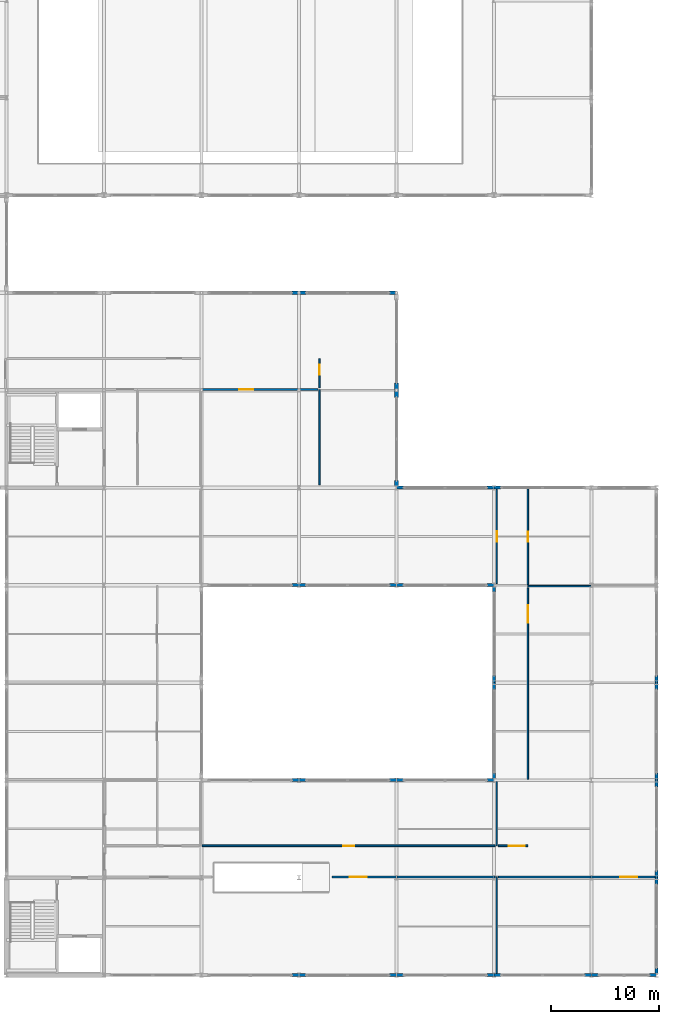
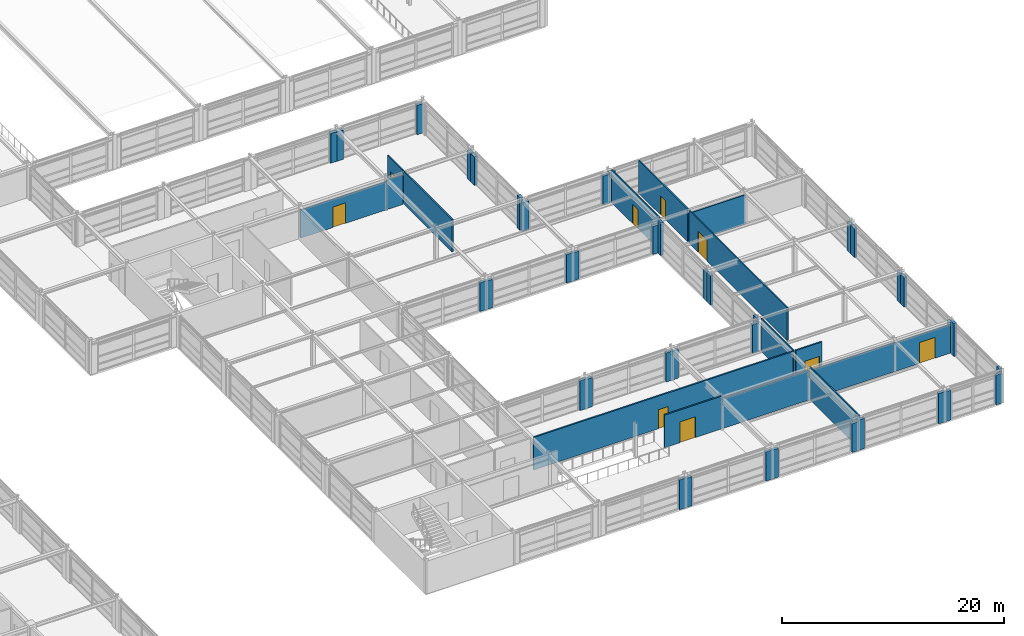
# One storey, part 70 of 79: 55 walls, 9 doors, 9 openings.
"""IFC4 building model written with IfcOpenShell, lengths in metres."""

import ifcopenshell
import ifcopenshell.guid

model = None  # the IFC model being written
_history = None  # IfcOwnerHistory: only IFC2X3 demands one
_inside = {}  # id of a spatial element -> (the spatial element, [elements in it])
_under = {}  # id of a project, library or spatial element -> (it, [spatial elements below it])
_declared = {}  # id of a project -> (the project, [libraries it declares])
_typed = {}  # id of a type object -> (the type object, [elements of that type])
_made_of = {}  # id of a material, layer set ... -> (it, [elements and type objects made of it])


def new_model(schema):
    """Start an empty IFC model of exactly this schema.

    Asked for "IFC4X3", IfcOpenShell would pick the latest addendum, in which some entities
    have other attributes; the version numbers below select the first issue.
    IFC2X3 requires an IfcOwnerHistory on every rooted entity: one is made here for all.
    """
    global model, _history
    if schema == "IFC4X3":
        model = ifcopenshell.file(schema_version=(4, 3, 0, 0))
    else:
        model = ifcopenshell.file(schema=schema)
    _inside.clear()
    _under.clear()
    _declared.clear()
    _typed.clear()
    _made_of.clear()
    _history = None
    if model.schema == "IFC2X3":
        org = make("IfcOrganization", Name="unknown")
        user = make(
            "IfcPersonAndOrganization",
            ThePerson=make("IfcPerson", FamilyName="unknown"),
            TheOrganization=org,
        )
        app = make(
            "IfcApplication",
            ApplicationDeveloper=org,
            Version="unknown",
            ApplicationFullName="unknown",
            ApplicationIdentifier="unknown",
        )
        _history = make(
            "IfcOwnerHistory",
            OwningUser=user,
            OwningApplication=app,
            ChangeAction="ADDED",
            CreationDate=0,
        )
    return model


def make(cls, **values):
    """One entity of the class cls with the attributes given. An attribute that is None is left unset."""
    return model.create_entity(
        cls, **{name: value for name, value in values.items() if value is not None}
    )


def rooted(cls, **values):
    """An entity with a GlobalId (a new one), such as an element, a storey or a relation."""
    return make(cls, GlobalId=ifcopenshell.guid.new(), OwnerHistory=_history, **values)


def si_unit(unit_type, name, prefix=None):
    """IfcSIUnit, for example si_unit("LENGTHUNIT", "METRE", prefix="MILLI")."""
    return make("IfcSIUnit", UnitType=unit_type, Prefix=prefix, Name=name)


def assignment(units):
    """IfcUnitAssignment: the units of a project."""
    return None if units is None else make("IfcUnitAssignment", Units=units)


def point(xyz):
    """IfcCartesianPoint."""
    return None if xyz is None else make("IfcCartesianPoint", Coordinates=xyz)


def direction(xyz):
    """IfcDirection."""
    return None if xyz is None else make("IfcDirection", DirectionRatios=xyz)


def frame(location, z_axis=None, x_axis=None):
    """IfcAxis2Placement3D, a coordinate frame: its origin and axes. An axis left out is left unset."""
    return make(
        "IfcAxis2Placement3D",
        Location=point(location),
        Axis=direction(z_axis),
        RefDirection=direction(x_axis),
    )


def frame_2d(location, x_axis=None):
    """IfcAxis2Placement2D, a coordinate frame in the plane: its origin and x axis."""
    return make(
        "IfcAxis2Placement2D", Location=point(location), RefDirection=direction(x_axis)
    )


def origin():
    """The frame at (0, 0, 0) with its axes left unset."""
    return frame((0.0, 0.0, 0.0))


def place(relative_to, where):
    """IfcLocalPlacement: puts the frame where relative to a parent placement (None: the world)."""
    return make(
        "IfcLocalPlacement", PlacementRelTo=relative_to, RelativePlacement=where
    )


def context(
    kind, dimensions, precision=None, world=None, true_north=None, identifier=None
):
    """IfcGeometricRepresentationContext, for example the 3D "Model" context."""
    return make(
        "IfcGeometricRepresentationContext",
        ContextIdentifier=identifier,
        ContextType=kind,
        CoordinateSpaceDimension=dimensions,
        Precision=precision,
        WorldCoordinateSystem=world,
        TrueNorth=true_north,
    )


def subcontext(parent, identifier, kind, view, scale=None):
    """IfcGeometricRepresentationSubContext, for example "Body" below "Model"."""
    return make(
        "IfcGeometricRepresentationSubContext",
        ContextIdentifier=identifier,
        ContextType=kind,
        ParentContext=parent,
        TargetScale=scale,
        TargetView=view,
    )


def project(units=None, contexts=None):
    """IfcProject with its units and contexts."""
    return rooted(
        "IfcProject",
        Name="project",
        RepresentationContexts=contexts,
        UnitsInContext=assignment(units),
    )


def spatial(cls, under=None, at=None, **own):
    """A site, building, storey or space (cls), placed at a placement, below another one or the project."""
    s = rooted(cls, ObjectPlacement=at, **own)
    if under is not None:
        _under.setdefault(under.id(), (under, []))[1].append(s)
    return s


def profile(cls, at=None, kind="AREA", **sizes):
    """A parametric profile (cls). Its sizes go by their IFC names, for example OverallWidth=200.0."""
    return make(cls, ProfileType=kind, Position=at, **sizes)


def rectangle(**sizes):
    """IfcRectangleProfileDef."""
    return profile("IfcRectangleProfileDef", **sizes)


def extrude(swept, where, along, depth):
    """IfcExtrudedAreaSolid: the profile swept, set in the frame where, extruded along a direction by depth."""
    return make(
        "IfcExtrudedAreaSolid",
        SweptArea=swept,
        Position=where,
        ExtrudedDirection=direction(along),
        Depth=depth,
    )


def shape(context_of_items, identifier, shape_type, items):
    """IfcShapeRepresentation: the items that make up one representation, for example the "Body"."""
    return make(
        "IfcShapeRepresentation",
        ContextOfItems=context_of_items,
        RepresentationIdentifier=identifier,
        RepresentationType=shape_type,
        Items=items,
    )


def material(Name=None, Category=None):
    """IfcMaterial."""
    return make("IfcMaterial", Name=Name, Category=Category)


def layer(
    of_material, thickness, ventilated=None, Name=None, Category=None, Priority=None
):
    """IfcMaterialLayer: one layer of a wall or slab, of a material (None: an air gap)."""
    return make(
        "IfcMaterialLayer",
        Material=of_material,
        LayerThickness=thickness,
        IsVentilated=ventilated,
        Name=Name,
        Category=Category,
        Priority=Priority,
    )


def layer_set(layers, Name=None):
    """IfcMaterialLayerSet."""
    return make("IfcMaterialLayerSet", MaterialLayers=layers, LayerSetName=Name)


def made_of(thing, what):
    """Note that an element or type object is made of a material, layer set ...; save() writes the relation."""
    if what is not None:
        _made_of.setdefault(what.id(), (what, []))[1].append(thing)
    return thing


def type_object(cls, material=None, **own):
    """A type object (cls), such as IfcWallType, which elements share."""
    return made_of(rooted(cls, **own), material)


def element(
    cls,
    number,
    at=None,
    inside=None,
    cuts=None,
    type_object=None,
    material=None,
    context=None,
    identifier="Body",
    shape_type=None,
    held_by="IfcProductDefinitionShape",
    body=None,
    shapes=None,
    **own,
):
    """One element of the class cls, such as IfcWall. Its Tag is "e" and its number.

    at: its placement. inside: the storey or other place that contains it. cuts: it is an
    opening in that element (IfcRelVoidsElement). A single representation is given by context,
    identifier, shape_type and body (its items); several are given by shapes. held_by: the class
    of the entity that holds the representations. save() writes the other relations.
    """
    e = rooted(cls, Tag="e%d" % number, ObjectPlacement=at, **own)
    if body is not None:
        shapes = [shape(context, identifier, shape_type, body)]
    if shapes is not None:
        e.Representation = make(held_by, Representations=shapes)
    if inside is not None:
        _inside.setdefault(inside.id(), (inside, []))[1].append(e)
    if cuts is not None:
        rooted(
            "IfcRelVoidsElement", RelatingBuildingElement=cuts, RelatedOpeningElement=e
        )
    if type_object is not None:
        _typed.setdefault(type_object.id(), (type_object, []))[1].append(e)
    return made_of(e, material)


def fill(opening, filler):
    """IfcRelFillsElement: the door or window that sits in an opening."""
    return rooted(
        "IfcRelFillsElement",
        RelatingOpeningElement=opening,
        RelatedBuildingElement=filler,
    )


def aggregate(whole, parts):
    """IfcRelAggregates: a whole, such as a stair, and the parts it consists of."""
    return rooted("IfcRelAggregates", RelatingObject=whole, RelatedObjects=parts)


def save(model, path):
    """Write the relations noted so far, then the file.

    IfcRelAggregates (storeys below a building ...), IfcRelContainedInSpatialStructure (elements
    in a storey), IfcRelDefinesByType, IfcRelAssociatesMaterial and IfcRelDeclares: one each for
    every whole, place, type object, material and project.
    """
    for whole, parts in _under.values():
        aggregate(whole, parts)
    for where, things in _inside.values():
        rooted(
            "IfcRelContainedInSpatialStructure",
            RelatedElements=things,
            RelatingStructure=where,
        )
    for kind, things in _typed.values():
        rooted("IfcRelDefinesByType", RelatedObjects=things, RelatingType=kind)
    for what, things in _made_of.values():
        rooted("IfcRelAssociatesMaterial", RelatedObjects=things, RelatingMaterial=what)
    for by, libraries in _declared.values():
        rooted("IfcRelDeclares", RelatingContext=by, RelatedDefinitions=libraries)
    model.write(path)


model = new_model("IFC4")

# Units and contexts
model_context = context("Model", 3, precision=1e-05, world=origin(), true_north=direction((0.0, 1.0)))
body_context = subcontext(model_context, "Body", "Model", "MODEL_VIEW")
ifc_project = project(units=[si_unit("LENGTHUNIT", "METRE"), si_unit("AREAUNIT", "SQUARE_METRE"), si_unit("VOLUMEUNIT", "CUBIC_METRE"), si_unit("PLANEANGLEUNIT", "RADIAN"), si_unit("MASSUNIT", "GRAM", prefix="KILO")], contexts=[model_context])

# Site, building, storey
site_placement = place(None, origin())
site = spatial("IfcSite", under=ifc_project, at=site_placement, CompositionType="ELEMENT")
building_placement = place(site_placement, origin())
building = spatial("IfcBuilding", under=site, at=building_placement, Name="Palais des Congres Ocreval", CompositionType="ELEMENT")
storey_placement = place(building_placement, frame((0.0, 0.0, 4.320068359375)))
storey = spatial("IfcBuildingStorey", under=building, at=storey_placement, Name="L01", CompositionType="ELEMENT", Elevation=4.320068359375)

# Walls
ifc_material_1 = material(Name="Moisture-resistant gypsum board")
ifc_layer_1 = layer(ifc_material_1, 0.139892578125)
ifc_layer_set_1 = layer_set([ifc_layer_1], Name="Bathroom Plumbing Chase Wall 140 Gypsum (Moisture-resistant gypsum board)")
wall_type_1 = type_object("IfcWallType", Name="Bathroom Plumbing Chase Wall 140 Gypsum", PredefinedType="PLUMBINGWALL", material=ifc_layer_set_1)
wall_1_placement = place(storey_placement, frame((136.909912109375, 45.27001953125, 0.0), z_axis=(0.0, 0.0, 1.0), x_axis=(0.0, 1.0, 0.0)))
element("IfcWall", 1, at=wall_1_placement, inside=storey, type_object=wall_type_1, Name="Interior Partition PW03 L01", PredefinedType="PLUMBINGWALL", context=body_context, shape_type="SweptSolid", body=[
    extrude(rectangle(XDim=8.7900390625, YDim=0.139892578125, at=frame_2d((4.39501953125, 0.0))), origin(), (0.0, 0.0, 1.0), 3.58984375),
])
wall_2_placement = place(storey_placement, frame((156.139892578125, 35.909912109375, 0.0), z_axis=(0.0, 0.0, 1.0), x_axis=(1.0, 0.0, 0.0)))
element("IfcWall", 2, at=wall_2_placement, inside=storey, type_object=wall_type_1, Name="Interior Partition PW03 L01", PredefinedType="PLUMBINGWALL", context=body_context, shape_type="SweptSolid", body=[
    extrude(rectangle(XDim=5.840087890625, YDim=0.139892578125, at=frame_2d((2.919921875, 0.0))), origin(), (0.0, 0.0, 1.0), 3.219970703125),
])

# Wall, opening, door
wall_3_placement = place(storey_placement, frame((136.909912109375, 54.219970703125, 0.0), z_axis=(0.0, 0.0, 1.0), x_axis=(0.0, 1.0, 0.0)))
wall_3 = element("IfcWall", 3, at=wall_3_placement, inside=storey, type_object=wall_type_1, Name="Interior Partition PW03 L01", PredefinedType="PLUMBINGWALL", context=body_context, shape_type="SweptSolid", body=[
    extrude(rectangle(XDim=2.7099609375, YDim=0.139892578125, at=frame_2d((1.35498046875, 0.0))), origin(), (0.0, 0.0, 1.0), 3.58984375),
])
opening_1_placement = place(wall_3_placement, frame((1.230224609375, 0.0, 0.0)))
opening_1 = element("IfcOpeningElement", 4, at=opening_1_placement, cuts=wall_3, Name="Opening D09", PredefinedType="OPENING", context=body_context, shape_type="SweptSolid", body=[
    extrude(rectangle(XDim=0.89990234375, YDim=2.10009765625, at=frame_2d((0.449951171875, 1.050048828125))), frame((0.0, 0.079833984375, 0.0), z_axis=(0.0, -1.0, 0.0), x_axis=(1.0, 0.0, 0.0)), (0.0, 0.0, 1.0), 0.159912109375),
])
ifc_material_2 = material(Name="Solid French oak", Category="wood")
door_type_1 = type_object("IfcDoorType", Name="Accessible Restroom Door 900x2100", OperationType="NOTDEFINED", PredefinedType="DOOR", material=ifc_material_2)
door_1_placement = place(opening_1_placement, origin())
door_1 = element("IfcDoor", 5, at=door_1_placement, inside=storey, type_object=door_type_1, Name="Interior Door D09 L01", OperationType="SINGLE_SWING_RIGHT", OverallHeight=2.10009765625, OverallWidth=0.89990234375, PredefinedType="DOOR", context=body_context, shape_type="SweptSolid", body=[
    extrude(rectangle(XDim=0.89990234375, YDim=2.10009765625, at=frame_2d((0.449951171875, 1.050048828125))), frame((0.0, 0.02490234375, 0.0), z_axis=(0.0, -1.0, 0.0), x_axis=(1.0, 0.0, 0.0)), (0.0, 0.0, 1.0), 0.050048828125),
])
fill(opening_1, door_1)

wall_4_placement = place(storey_placement, frame((156.135009765625, 36.06494140625, 0.0), z_axis=(0.0, 0.0, 1.0), x_axis=(0.0, 1.0, 0.0)))
wall_4 = element("IfcWall", 6, at=wall_4_placement, inside=storey, type_object=wall_type_1, Name="Interior Partition PW03 L01", PredefinedType="PLUMBINGWALL", context=body_context, shape_type="SweptSolid", body=[
    extrude(rectangle(XDim=8.840087890625, YDim=0.139892578125, at=frame_2d((4.419921875, 0.0))), origin(), (0.0, 0.0, 1.0), 3.599853515625),
])
opening_2_placement = place(wall_4_placement, frame((3.969970703125, 0.0, 0.0)))
opening_2 = element("IfcOpeningElement", 7, at=opening_2_placement, cuts=wall_4, Name="Opening D09", PredefinedType="OPENING", context=body_context, shape_type="SweptSolid", body=[
    extrude(rectangle(XDim=0.89990234375, YDim=2.10009765625, at=frame_2d((0.449951171875, 1.050048828125))), frame((0.0, 0.079833984375, 0.0), z_axis=(0.0, -1.0, 0.0), x_axis=(1.0, 0.0, 0.0)), (0.0, 0.0, 1.0), 0.159912109375),
])
door_2_placement = place(opening_2_placement, origin())
door_2 = element("IfcDoor", 8, at=door_2_placement, inside=storey, type_object=door_type_1, Name="Interior Door D09 L01", OperationType="SINGLE_SWING_LEFT", OverallHeight=2.10009765625, OverallWidth=0.89990234375, PredefinedType="DOOR", context=body_context, shape_type="SweptSolid", body=[
    extrude(rectangle(XDim=0.89990234375, YDim=2.10009765625, at=frame_2d((0.449951171875, 1.050048828125))), frame((0.0, 0.02490234375, 0.0), z_axis=(0.0, -1.0, 0.0), x_axis=(1.0, 0.0, 0.0)), (0.0, 0.0, 1.0), 0.050048828125),
])
fill(opening_2, door_2)

ifc_material_3 = material(Name="Gypsum acoustic partition")
ifc_layer_2 = layer(ifc_material_3, 0.159912109375)
ifc_layer_set_2 = layer_set([ifc_layer_2], Name="Corridor Fire Partition 160 Gypsum (Gypsum acoustic partition)")
wall_type_2 = type_object("IfcWallType", Name="Corridor Fire Partition 160 Gypsum", PredefinedType="PARTITIONING", material=ifc_layer_set_2)
wall_5_placement = place(storey_placement, frame((126.06494140625, 54.06494140625, 0.0), z_axis=(0.0, 0.0, 1.0), x_axis=(1.0, 0.0, 0.0)))
wall_5 = element("IfcWall", 9, at=wall_5_placement, inside=storey, type_object=wall_type_2, Name="Interior Partition IW03 L01", PredefinedType="PARTITIONING", context=body_context, shape_type="SweptSolid", body=[
    extrude(rectangle(XDim=8.955078125, YDim=0.159912109375, at=frame_2d((4.4775390625, 0.0))), origin(), (0.0, 0.0, 1.0), 3.08984375),
])
opening_3_placement = place(wall_5_placement, frame((3.412109375, 0.0, 0.0)))
opening_3 = element("IfcOpeningElement", 10, at=opening_3_placement, cuts=wall_5, Name="Opening D07", PredefinedType="OPENING", context=body_context, shape_type="SweptSolid", body=[
    extrude(rectangle(XDim=1.300048828125, YDim=2.25, at=frame_2d((0.64990234375, 1.125))), frame((0.0, 0.08984375, 0.0), z_axis=(0.0, -1.0, 0.0), x_axis=(1.0, 0.0, 0.0)), (0.0, 0.0, 1.0), 0.179931640625),
])
door_type_2 = type_object("IfcDoorType", Name="Luxury Suite Double Door 1300x2250", OperationType="NOTDEFINED", PredefinedType="DOOR", material=ifc_material_2)
door_3_placement = place(opening_3_placement, origin())
door_3 = element("IfcDoor", 11, at=door_3_placement, inside=storey, type_object=door_type_2, Name="Interior Door D07 L01", OperationType="DOUBLE_DOOR_SINGLE_SWING", OverallHeight=2.25, OverallWidth=1.300048828125, PredefinedType="DOOR", context=body_context, shape_type="SweptSolid", body=[
    extrude(rectangle(XDim=1.300048828125, YDim=2.25, at=frame_2d((0.64990234375, 1.125))), frame((0.0, 0.02490234375, 0.0), z_axis=(0.0, -1.0, 0.0), x_axis=(1.0, 0.0, 0.0)), (0.0, 0.0, 1.0), 0.050048828125),
])
fill(opening_3, door_3)

wall_6_placement = place(storey_placement, frame((153.419921875, 11.93505859375, 0.0), z_axis=(0.0, 0.0, 1.0), x_axis=(1.0, 0.0, 0.0)))
wall_6 = element("IfcWall", 12, at=wall_6_placement, inside=storey, type_object=wall_type_2, Name="Interior Partition IW03 L01", PredefinedType="PARTITIONING", context=body_context, shape_type="SweptSolid", body=[
    extrude(rectangle(XDim=2.7099609375, YDim=0.159912109375, at=frame_2d((1.35498046875, 0.0))), origin(), (0.0, 0.0, 1.0), 3.599853515625),
])
opening_4_placement = place(wall_6_placement, frame((0.93017578125, 0.0, 0.0)))
opening_4 = element("IfcOpeningElement", 13, at=opening_4_placement, cuts=wall_6, Name="Opening D04", PredefinedType="OPENING", context=body_context, shape_type="SweptSolid", body=[
    extrude(rectangle(XDim=1.5, YDim=2.10009765625, at=frame_2d((0.75, 1.050048828125))), frame((0.0, 0.08984375, 0.0), z_axis=(0.0, -1.0, 0.0), x_axis=(1.0, 0.0, 0.0)), (0.0, 0.0, 1.0), 0.179931640625),
])
ifc_material_4 = material(Name="Solid French oak fire door", Category="wood")
door_type_3 = type_object("IfcDoorType", Name="Corridor Compartment Double Door 1500x2100", OperationType="NOTDEFINED", PredefinedType="DOOR", material=ifc_material_4)
door_4_placement = place(opening_4_placement, origin())
door_4 = element("IfcDoor", 14, at=door_4_placement, inside=storey, type_object=door_type_3, Name="Interior Door D04 L01", OperationType="DOUBLE_DOOR_SINGLE_SWING", OverallHeight=2.10009765625, OverallWidth=1.5, PredefinedType="DOOR", context=body_context, shape_type="SweptSolid", body=[
    extrude(rectangle(XDim=1.5, YDim=2.10009765625, at=frame_2d((0.75, 1.050048828125))), frame((0.0, 0.02490234375, 0.0), z_axis=(0.0, -1.0, 0.0), x_axis=(1.0, 0.0, 0.0)), (0.0, 0.0, 1.0), 0.050048828125),
])
fill(opening_4, door_4)

wall_7_placement = place(storey_placement, frame((138.070068359375, 9.06494140625, 0.0), z_axis=(0.0, 0.0, 1.0), x_axis=(1.0, 0.0, 0.0)))
wall_7 = element("IfcWall", 15, at=wall_7_placement, inside=storey, type_object=wall_type_2, Name="Interior Partition IW03 L01", PredefinedType="PARTITIONING", context=body_context, shape_type="SweptSolid", body=[
    extrude(rectangle(XDim=5.949951171875, YDim=0.159912109375, at=frame_2d((2.97509765625, 0.0))), origin(), (0.0, 0.0, 1.0), 3.599853515625),
])
opening_5_placement = place(wall_7_placement, frame((1.60009765625, 0.0, 0.0)))
opening_5 = element("IfcOpeningElement", 16, at=opening_5_placement, cuts=wall_7, Name="Opening D12", PredefinedType="OPENING", context=body_context, shape_type="SweptSolid", body=[
    extrude(rectangle(XDim=1.60009765625, YDim=2.300048828125, at=frame_2d((0.800048828125, 1.14990234375))), frame((0.0, 0.08984375, 0.0), z_axis=(0.0, -1.0, 0.0), x_axis=(1.0, 0.0, 0.0)), (0.0, 0.0, 1.0), 0.179931640625),
])
door_type_4 = type_object("IfcDoorType", Name="Meeting Room Acoustic Double Door 1600x2300", OperationType="NOTDEFINED", PredefinedType="DOOR", material=ifc_material_2)
door_5_placement = place(opening_5_placement, origin())
door_5 = element("IfcDoor", 17, at=door_5_placement, inside=storey, type_object=door_type_4, Name="Interior Door D12 L01", OperationType="DOUBLE_DOOR_SINGLE_SWING", OverallHeight=2.300048828125, OverallWidth=1.60009765625, PredefinedType="DOOR", context=body_context, shape_type="SweptSolid", body=[
    extrude(rectangle(XDim=1.60009765625, YDim=2.300048828125, at=frame_2d((0.800048828125, 1.14990234375))), frame((0.0, 0.02490234375, 0.0), z_axis=(0.0, -1.0, 0.0), x_axis=(1.0, 0.0, 0.0)), (0.0, 0.0, 1.0), 0.050048828125),
])
fill(opening_5, door_5)

# Wall
wall_8_placement = place(storey_placement, frame((153.419921875, 9.06494140625, 0.0), z_axis=(0.0, 0.0, 1.0), x_axis=(1.0, 0.0, 0.0)))
element("IfcWall", 18, at=wall_8_placement, inside=storey, type_object=wall_type_2, Name="Interior Partition IW03 L01", PredefinedType="PARTITIONING", context=body_context, shape_type="SweptSolid", body=[
    extrude(rectangle(XDim=8.56005859375, YDim=0.159912109375, at=frame_2d((4.280029296875, 0.0))), origin(), (0.0, 0.0, 1.0), 3.18994140625),
])

# Wall, opening, door
wall_9_placement = place(storey_placement, frame((126.06494140625, 11.93505859375, 0.0), z_axis=(0.0, 0.0, 1.0), x_axis=(1.0, 0.0, 0.0)))
wall_9 = element("IfcWall", 19, at=wall_9_placement, inside=storey, type_object=wall_type_2, Name="Interior Partition IW03 L01", PredefinedType="PARTITIONING", context=body_context, shape_type="SweptSolid", body=[
    extrude(rectangle(XDim=27.045166015625, YDim=0.159912109375, at=frame_2d((13.5224609375, 0.0))), origin(), (0.0, 0.0, 1.0), 3.599853515625),
])
opening_6_placement = place(wall_9_placement, frame((13.0224609375, 0.0, 0.0)))
opening_6 = element("IfcOpeningElement", 20, at=opening_6_placement, cuts=wall_9, Name="Opening D10", PredefinedType="OPENING", context=body_context, shape_type="SweptSolid", body=[
    extrude(rectangle(XDim=1.0, YDim=2.10009765625, at=frame_2d((0.5, 1.050048828125))), frame((0.0, 0.08984375, 0.0), z_axis=(0.0, -1.0, 0.0), x_axis=(1.0, 0.0, 0.0)), (0.0, 0.0, 1.0), 0.179931640625),
])
ifc_material_5 = material(Name="Painted steel", Category="steel")
door_type_5 = type_object("IfcDoorType", Name="Service and Pantry Door 1000x2100", OperationType="NOTDEFINED", PredefinedType="DOOR", material=ifc_material_5)
door_6_placement = place(opening_6_placement, origin())
door_6 = element("IfcDoor", 21, at=door_6_placement, inside=storey, type_object=door_type_5, Name="Interior Door D10 L01", OperationType="SINGLE_SWING_LEFT", OverallHeight=2.10009765625, OverallWidth=1.0, PredefinedType="DOOR", context=body_context, shape_type="SweptSolid", body=[
    extrude(rectangle(XDim=1.0, YDim=2.10009765625, at=frame_2d((0.5, 1.050048828125))), frame((0.0, 0.02490234375, 0.0), z_axis=(0.0, -1.0, 0.0), x_axis=(1.0, 0.0, 0.0)), (0.0, 0.0, 1.0), 0.050048828125),
])
fill(opening_6, door_6)

# Walls
wall_10_placement = place(storey_placement, frame((135.02001953125, 54.06494140625, 0.0), z_axis=(0.0, 0.0, 1.0), x_axis=(1.0, 0.0, 0.0)))
element("IfcWall", 22, at=wall_10_placement, inside=storey, type_object=wall_type_2, Name="Interior Partition IW03 L01", PredefinedType="PARTITIONING", context=body_context, shape_type="SweptSolid", body=[
    extrude(rectangle(XDim=1.73486328125, YDim=0.159912109375, at=frame_2d((0.867431640625, 0.0))), origin(), (0.0, 0.0, 1.0), 3.219970703125),
])
wall_11_placement = place(storey_placement, frame((144.02001953125, 9.06494140625, 0.0), z_axis=(0.0, 0.0, 1.0), x_axis=(1.0, 0.0, 0.0)))
element("IfcWall", 23, at=wall_11_placement, inside=storey, type_object=wall_type_2, Name="Interior Partition IW03 L01", PredefinedType="PARTITIONING", context=body_context, shape_type="SweptSolid", body=[
    extrude(rectangle(XDim=9.090087890625, YDim=0.159912109375, at=frame_2d((4.544921875, 0.0))), origin(), (0.0, 0.0, 1.0), 3.25),
])

# Wall, opening, door
wall_12_placement = place(storey_placement, frame((161.97998046875, 9.06494140625, 0.0), z_axis=(0.0, 0.0, 1.0), x_axis=(1.0, 0.0, 0.0)))
wall_12 = element("IfcWall", 24, at=wall_12_placement, inside=storey, type_object=wall_type_2, Name="Interior Partition IW03 L01", PredefinedType="PARTITIONING", context=body_context, shape_type="SweptSolid", body=[
    extrude(rectangle(XDim=5.875, YDim=0.159912109375, at=frame_2d((2.9375, 0.0))), origin(), (0.0, 0.0, 1.0), 3.139892578125),
])
opening_7_placement = place(wall_12_placement, frame((2.675048828125, 0.0, 0.0)))
opening_7 = element("IfcOpeningElement", 25, at=opening_7_placement, cuts=wall_12, Name="Opening D12", PredefinedType="OPENING", context=body_context, shape_type="SweptSolid", body=[
    extrude(rectangle(XDim=1.60009765625, YDim=2.300048828125, at=frame_2d((0.800048828125, 1.14990234375))), frame((0.0, 0.08984375, 0.0), z_axis=(0.0, -1.0, 0.0), x_axis=(1.0, 0.0, 0.0)), (0.0, 0.0, 1.0), 0.179931640625),
])
door_7_placement = place(opening_7_placement, origin())
door_7 = element("IfcDoor", 26, at=door_7_placement, inside=storey, type_object=door_type_4, Name="Interior Door D12 L01", OperationType="DOUBLE_DOOR_SINGLE_SWING", OverallHeight=2.300048828125, OverallWidth=1.60009765625, PredefinedType="DOOR", context=body_context, shape_type="SweptSolid", body=[
    extrude(rectangle(XDim=1.60009765625, YDim=2.300048828125, at=frame_2d((0.800048828125, 1.14990234375))), frame((0.0, 0.02490234375, 0.0), z_axis=(0.0, -1.0, 0.0), x_axis=(1.0, 0.0, 0.0)), (0.0, 0.0, 1.0), 0.050048828125),
])
fill(opening_7, door_7)

# Walls
ifc_material_6 = material(Name="Concrete C40/50", Category="concrete")
ifc_layer_3 = layer(ifc_material_6, 0.340087890625)
ifc_layer_set_3 = layer_set([ifc_layer_3], Name="Ochre Mineral-Lime Courtyard Wall 340 Concrete C40/50")
wall_type_3 = type_object("IfcWallType", Name="Ochre Mineral-Lime Courtyard Wall 340 Concrete C40/50", PredefinedType="SOLIDWALL", material=ifc_layer_set_3)
wall_13_placement = place(storey_placement, frame((134.35009765625, 63.0, 0.0), z_axis=(0.0, 0.0, 1.0), x_axis=(1.0, 0.0, 0.0)))
element("IfcWall", 27, at=wall_13_placement, inside=storey, type_object=wall_type_3, Name="Facade Pier EW04 L01", PredefinedType="SOLIDWALL", context=body_context, shape_type="SweptSolid", body=[
    extrude(rectangle(XDim=0.64990234375, YDim=0.340087890625, at=frame_2d((0.324951171875, 0.0))), origin(), (0.0, 0.0, 1.0), 3.280029296875),
])
for number, where, z_axis, x_axis, name in (
    (28, (135.0, 63.0, 0.0), (0.0, 0.0, 1.0), (1.0, 0.0, 0.0), "Facade Pier EW04 L01"),
    (29, (143.35009765625, 63.0, 0.0), (0.0, 0.0, 1.0), (1.0, 0.0, 0.0), "Facade Pier EW04 L01"),
):
    element("IfcWall", number, at=place(storey_placement, frame(where, z_axis=z_axis, x_axis=x_axis)), inside=storey, type_object=wall_type_3, Name=name, PredefinedType="SOLIDWALL", context=body_context, shape_type="SweptSolid", body=[
        extrude(rectangle(XDim=0.64990234375, YDim=0.340087890625, at=frame_2d((0.324951171875, 0.0))), origin(), (0.0, 0.0, 1.0), 3.219970703125),
    ])
wall_14_placement = place(storey_placement, frame((144.0, 54.64990234375, 0.0), z_axis=(0.0, 0.0, 1.0), x_axis=(0.0, -1.0, 0.0)))
element("IfcWall", 30, at=wall_14_placement, inside=storey, type_object=wall_type_3, Name="Facade Pier EW04 L01", PredefinedType="SOLIDWALL", context=body_context, shape_type="SweptSolid", body=[
    extrude(rectangle(XDim=0.64990234375, YDim=0.340087890625, at=frame_2d((0.324951171875, 0.0))), origin(), (0.0, 0.0, 1.0), 3.08984375),
])
wall_15_placement = place(storey_placement, frame((144.0, 54.0, 0.0), z_axis=(0.0, 0.0, 1.0), x_axis=(0.0, -1.0, 0.0)))
element("IfcWall", 31, at=wall_15_placement, inside=storey, type_object=wall_type_3, Name="Facade Pier EW04 L01", PredefinedType="SOLIDWALL", context=body_context, shape_type="SweptSolid", body=[
    extrude(rectangle(XDim=0.64990234375, YDim=0.340087890625, at=frame_2d((0.324951171875, 0.0))), origin(), (0.0, 0.0, 1.0), 3.139892578125),
])
wall_16_placement = place(storey_placement, frame((144.0, 45.64990234375, 0.0), z_axis=(0.0, 0.0, 1.0), x_axis=(0.0, -1.0, 0.0)))
element("IfcWall", 32, at=wall_16_placement, inside=storey, type_object=wall_type_3, Name="Facade Pier EW04 L01", PredefinedType="SOLIDWALL", context=body_context, shape_type="SweptSolid", body=[
    extrude(rectangle(XDim=0.494873046875, YDim=0.340087890625, at=frame_2d((0.24755859375, 0.0))), origin(), (0.0, 0.0, 1.0), 3.58984375),
])
ifc_material_7 = material(Name="Gypsum board partition")
ifc_layer_4 = layer(ifc_material_7, 0.1201171875)
ifc_layer_set_4 = layer_set([ifc_layer_4], Name="Suite Subdivision Partition 120 Gypsum (Gypsum board partition)")
wall_type_4 = type_object("IfcWallType", Name="Suite Subdivision Partition 120 Gypsum", PredefinedType="PARTITIONING", material=ifc_layer_set_4)
wall_17_placement = place(storey_placement, frame((153.264892578125, 11.93994140625, 0.0), z_axis=(0.0, 0.0, 1.0), x_axis=(0.0, 1.0, 0.0)))
element("IfcWall", 33, at=wall_17_placement, inside=storey, type_object=wall_type_4, Name="Interior Partition IW04 L01", PredefinedType="PARTITIONING", context=body_context, shape_type="SweptSolid", body=[
    extrude(rectangle(XDim=5.9150390625, YDim=0.1201171875, at=frame_2d((2.95751953125, 0.0))), origin(), (0.0, 0.0, 1.0), 3.599853515625),
])
wall_18_placement = place(storey_placement, frame((153.264892578125, 0.14501953125, 0.0), z_axis=(0.0, 0.0, 1.0), x_axis=(0.0, 1.0, 0.0)))
element("IfcWall", 34, at=wall_18_placement, inside=storey, type_object=wall_type_4, Name="Interior Partition IW04 L01", PredefinedType="PARTITIONING", context=body_context, shape_type="SweptSolid", body=[
    extrude(rectangle(XDim=8.9150390625, YDim=0.1201171875, at=frame_2d((4.45751953125, 0.0))), origin(), (0.0, 0.0, 1.0), 3.599853515625),
])

# Wall, opening, door
wall_19_placement = place(storey_placement, frame((153.264892578125, 36.14501953125, 0.0), z_axis=(0.0, 0.0, 1.0), x_axis=(0.0, 1.0, 0.0)))
wall_19 = element("IfcWall", 35, at=wall_19_placement, inside=storey, type_object=wall_type_4, Name="Interior Partition IW04 L01", PredefinedType="PARTITIONING", context=body_context, shape_type="SweptSolid", body=[
    extrude(rectangle(XDim=8.7099609375, YDim=0.1201171875, at=frame_2d((4.35498046875, 0.0))), origin(), (0.0, 0.0, 1.0), 3.599853515625),
])
opening_8_placement = place(wall_19_placement, frame((3.85498046875, 0.0, 0.0)))
opening_8 = element("IfcOpeningElement", 36, at=opening_8_placement, cuts=wall_19, Name="Opening D10", PredefinedType="OPENING", context=body_context, shape_type="SweptSolid", body=[
    extrude(rectangle(XDim=1.0, YDim=2.10009765625, at=frame_2d((0.5, 1.050048828125))), frame((0.0, 0.070068359375, 0.0), z_axis=(0.0, -1.0, 0.0), x_axis=(1.0, 0.0, 0.0)), (0.0, 0.0, 1.0), 0.14013671875),
])
door_8_placement = place(opening_8_placement, origin())
door_8 = element("IfcDoor", 37, at=door_8_placement, inside=storey, type_object=door_type_5, Name="Interior Door D10 L01", OperationType="SINGLE_SWING_RIGHT", OverallHeight=2.10009765625, OverallWidth=1.0, PredefinedType="DOOR", context=body_context, shape_type="SweptSolid", body=[
    extrude(rectangle(XDim=1.0, YDim=2.10009765625, at=frame_2d((0.5, 1.050048828125))), frame((0.0, 0.02490234375, 0.0), z_axis=(0.0, -1.0, 0.0), x_axis=(1.0, 0.0, 0.0)), (0.0, 0.0, 1.0), 0.050048828125),
])
fill(opening_8, door_8)

wall_20_placement = place(storey_placement, frame((156.135009765625, 18.070068359375, 0.0), z_axis=(0.0, 0.0, 1.0), x_axis=(0.0, 1.0, 0.0)))
wall_20 = element("IfcWall", 38, at=wall_20_placement, inside=storey, type_object=wall_type_4, Name="Interior Partition IW04 L01", PredefinedType="PARTITIONING", context=body_context, shape_type="SweptSolid", body=[
    extrude(rectangle(XDim=17.684814453125, YDim=0.1201171875, at=frame_2d((8.84228515625, 0.0))), origin(), (0.0, 0.0, 1.0), 3.599853515625),
])
opening_9_placement = place(wall_20_placement, frame((14.485107421875, 0.0, 0.0)))
opening_9 = element("IfcOpeningElement", 39, at=opening_9_placement, cuts=wall_20, Name="Opening D12", PredefinedType="OPENING", context=body_context, shape_type="SweptSolid", body=[
    extrude(rectangle(XDim=1.60009765625, YDim=2.300048828125, at=frame_2d((0.800048828125, 1.14990234375))), frame((0.0, 0.070068359375, 0.0), z_axis=(0.0, -1.0, 0.0), x_axis=(1.0, 0.0, 0.0)), (0.0, 0.0, 1.0), 0.14013671875),
])
door_9_placement = place(opening_9_placement, origin())
door_9 = element("IfcDoor", 40, at=door_9_placement, inside=storey, type_object=door_type_4, Name="Interior Door D12 L01", OperationType="DOUBLE_DOOR_SINGLE_SWING", OverallHeight=2.300048828125, OverallWidth=1.60009765625, PredefinedType="DOOR", context=body_context, shape_type="SweptSolid", body=[
    extrude(rectangle(XDim=1.60009765625, YDim=2.300048828125, at=frame_2d((0.800048828125, 1.14990234375))), frame((0.0, 0.02490234375, 0.0), z_axis=(0.0, -1.0, 0.0), x_axis=(1.0, 0.0, 0.0)), (0.0, 0.0, 1.0), 0.050048828125),
])
fill(opening_9, door_9)

# Walls
ifc_layer_5 = layer(ifc_material_6, 0.280029296875)
ifc_layer_set_5 = layer_set([ifc_layer_5], Name="Terracotta Mineral-Lime Facade Wall 280 Concrete C40/50")
wall_type_5 = type_object("IfcWallType", Name="Terracotta Mineral-Lime Facade Wall 280 Concrete C40/50", PredefinedType="SOLIDWALL", material=ifc_layer_set_5)
for number, where, z_axis, x_axis, name in (
    (41, (144.0, 45.0, 0.0), (0.0, 0.0, 1.0), (1.0, 0.0, 0.0), "Facade Pier EW05 L01"),
    (42, (152.35009765625, 45.0, 0.0), (0.0, 0.0, 1.0), (1.0, 0.0, 0.0), "Facade Pier EW05 L01"),
):
    element("IfcWall", number, at=place(storey_placement, frame(where, z_axis=z_axis, x_axis=x_axis)), inside=storey, type_object=wall_type_5, Name=name, PredefinedType="SOLIDWALL", context=body_context, shape_type="SweptSolid", body=[
        extrude(rectangle(XDim=0.64990234375, YDim=0.280029296875, at=frame_2d((0.324951171875, 0.0))), origin(), (0.0, 0.0, 1.0), 3.179931640625),
    ])
wall_21_placement = place(storey_placement, frame((153.0, 45.0, 0.0), z_axis=(0.0, 0.0, 1.0), x_axis=(1.0, 0.0, 0.0)))
element("IfcWall", 43, at=wall_21_placement, inside=storey, type_object=wall_type_5, Name="Facade Pier EW05 L01", PredefinedType="SOLIDWALL", context=body_context, shape_type="SweptSolid", body=[
    extrude(rectangle(XDim=0.64990234375, YDim=0.280029296875, at=frame_2d((0.324951171875, 0.0))), origin(), (0.0, 0.0, 1.0), 3.349853515625),
])
wall_22_placement = place(storey_placement, frame((168.0, 27.64990234375, 0.0), z_axis=(0.0, 0.0, 1.0), x_axis=(0.0, -1.0, 0.0)))
element("IfcWall", 44, at=wall_22_placement, inside=storey, type_object=wall_type_5, Name="Facade Pier EW05 L01", PredefinedType="SOLIDWALL", context=body_context, shape_type="SweptSolid", body=[
    extrude(rectangle(XDim=0.64990234375, YDim=0.280029296875, at=frame_2d((0.324951171875, 0.0))), origin(), (0.0, 0.0, 1.0), 3.179931640625),
])
for number, where, z_axis, x_axis, name in (
    (45, (168.0, 27.0, 0.0), (0.0, 0.0, 1.0), (0.0, -1.0, 0.0), "Facade Pier EW05 L01"),
    (46, (168.0, 18.64990234375, 0.0), (0.0, 0.0, 1.0), (0.0, -1.0, 0.0), "Facade Pier EW05 L01"),
):
    element("IfcWall", number, at=place(storey_placement, frame(where, z_axis=z_axis, x_axis=x_axis)), inside=storey, type_object=wall_type_5, Name=name, PredefinedType="SOLIDWALL", context=body_context, shape_type="SweptSolid", body=[
        extrude(rectangle(XDim=0.64990234375, YDim=0.280029296875, at=frame_2d((0.324951171875, 0.0))), origin(), (0.0, 0.0, 1.0), 3.219970703125),
    ])
for number, where, z_axis, x_axis, name in (
    (47, (168.0, 18.0, 0.0), (0.0, 0.0, 1.0), (0.0, -1.0, 0.0), "Facade Pier EW05 L01"),
    (48, (168.0, 9.64990234375, 0.0), (0.0, 0.0, 1.0), (0.0, -1.0, 0.0), "Facade Pier EW05 L01"),
):
    element("IfcWall", number, at=place(storey_placement, frame(where, z_axis=z_axis, x_axis=x_axis)), inside=storey, type_object=wall_type_5, Name=name, PredefinedType="SOLIDWALL", context=body_context, shape_type="SweptSolid", body=[
        extrude(rectangle(XDim=0.64990234375, YDim=0.280029296875, at=frame_2d((0.324951171875, 0.0))), origin(), (0.0, 0.0, 1.0), 3.280029296875),
    ])
wall_23_placement = place(storey_placement, frame((168.0, 9.0, 0.0), z_axis=(0.0, 0.0, 1.0), x_axis=(0.0, -1.0, 0.0)))
element("IfcWall", 49, at=wall_23_placement, inside=storey, type_object=wall_type_5, Name="Facade Pier EW05 L01", PredefinedType="SOLIDWALL", context=body_context, shape_type="SweptSolid", body=[
    extrude(rectangle(XDim=0.64990234375, YDim=0.280029296875, at=frame_2d((0.324951171875, 0.0))), origin(), (0.0, 0.0, 1.0), 3.599853515625),
])
wall_24_placement = place(storey_placement, frame((168.0, 0.64990234375, 0.0), z_axis=(0.0, 0.0, 1.0), x_axis=(0.0, -1.0, 0.0)))
element("IfcWall", 50, at=wall_24_placement, inside=storey, type_object=wall_type_5, Name="Facade Pier EW05 L01", PredefinedType="SOLIDWALL", context=body_context, shape_type="SweptSolid", body=[
    extrude(rectangle(XDim=0.494873046875, YDim=0.280029296875, at=frame_2d((0.24755859375, 0.0))), origin(), (0.0, 0.0, 1.0), 3.599853515625),
])
for number, where, z_axis, x_axis, name in (
    (51, (168.0, 0.0, 0.0), (0.0, 0.0, 1.0), (-1.0, 0.0, 0.0), "Facade Pier EW05 L01"),
    (52, (162.64990234375, 0.0, 0.0), (0.0, 0.0, 1.0), (-1.0, 0.0, 0.0), "Facade Pier EW05 L01"),
):
    element("IfcWall", number, at=place(storey_placement, frame(where, z_axis=z_axis, x_axis=x_axis)), inside=storey, type_object=wall_type_5, Name=name, PredefinedType="SOLIDWALL", context=body_context, shape_type="SweptSolid", body=[
        extrude(rectangle(XDim=0.64990234375, YDim=0.280029296875, at=frame_2d((0.324951171875, 0.0))), origin(), (0.0, 0.0, 1.0), 3.280029296875),
    ])
for number, where, z_axis, x_axis, name in (
    (53, (162.0, 0.0, 0.0), (0.0, 0.0, 1.0), (-1.0, 0.0, 0.0), "Facade Pier EW05 L01"),
    (54, (153.64990234375, 0.0, 0.0), (0.0, 0.0, 1.0), (-1.0, 0.0, 0.0), "Facade Pier EW05 L01"),
):
    element("IfcWall", number, at=place(storey_placement, frame(where, z_axis=z_axis, x_axis=x_axis)), inside=storey, type_object=wall_type_5, Name=name, PredefinedType="SOLIDWALL", context=body_context, shape_type="SweptSolid", body=[
        extrude(rectangle(XDim=0.64990234375, YDim=0.280029296875, at=frame_2d((0.324951171875, 0.0))), origin(), (0.0, 0.0, 1.0), 3.349853515625),
    ])
for number, where, z_axis, x_axis, name in (
    (55, (153.0, 0.0, 0.0), (0.0, 0.0, 1.0), (-1.0, 0.0, 0.0), "Facade Pier EW05 L01"),
    (56, (144.64990234375, 0.0, 0.0), (0.0, 0.0, 1.0), (-1.0, 0.0, 0.0), "Facade Pier EW05 L01"),
):
    element("IfcWall", number, at=place(storey_placement, frame(where, z_axis=z_axis, x_axis=x_axis)), inside=storey, type_object=wall_type_5, Name=name, PredefinedType="SOLIDWALL", context=body_context, shape_type="SweptSolid", body=[
        extrude(rectangle(XDim=0.64990234375, YDim=0.280029296875, at=frame_2d((0.324951171875, 0.0))), origin(), (0.0, 0.0, 1.0), 3.179931640625),
    ])
for number, where, z_axis, x_axis, name in (
    (57, (144.0, 0.0, 0.0), (0.0, 0.0, 1.0), (-1.0, 0.0, 0.0), "Facade Pier EW05 L01"),
    (58, (135.64990234375, 0.0, 0.0), (0.0, 0.0, 1.0), (-1.0, 0.0, 0.0), "Facade Pier EW05 L01"),
):
    element("IfcWall", number, at=place(storey_placement, frame(where, z_axis=z_axis, x_axis=x_axis)), inside=storey, type_object=wall_type_5, Name=name, PredefinedType="SOLIDWALL", context=body_context, shape_type="SweptSolid", body=[
        extrude(rectangle(XDim=0.64990234375, YDim=0.280029296875, at=frame_2d((0.324951171875, 0.0))), origin(), (0.0, 0.0, 1.0), 3.219970703125),
    ])
wall_25_placement = place(storey_placement, frame((135.0, 0.0, 0.0), z_axis=(0.0, 0.0, 1.0), x_axis=(-1.0, 0.0, 0.0)))
element("IfcWall", 59, at=wall_25_placement, inside=storey, type_object=wall_type_5, Name="Facade Pier EW05 L01", PredefinedType="SOLIDWALL", context=body_context, shape_type="SweptSolid", body=[
    extrude(rectangle(XDim=0.64990234375, YDim=0.280029296875, at=frame_2d((0.324951171875, 0.0))), origin(), (0.0, 0.0, 1.0), 3.280029296875),
])
wall_26_placement = place(storey_placement, frame((153.0, 18.155029296875, 0.0), z_axis=(0.0, 0.0, 1.0), x_axis=(0.0, 1.0, 0.0)))
element("IfcWall", 60, at=wall_26_placement, inside=storey, type_object=wall_type_5, Name="Facade Pier EW05 L01", PredefinedType="SOLIDWALL", context=body_context, shape_type="SweptSolid", body=[
    extrude(rectangle(XDim=0.494873046875, YDim=0.280029296875, at=frame_2d((0.24755859375, 0.0))), origin(), (0.0, 0.0, 1.0), 3.599853515625),
])
wall_27_placement = place(storey_placement, frame((153.0, 26.35009765625, 0.0), z_axis=(0.0, 0.0, 1.0), x_axis=(0.0, 1.0, 0.0)))
element("IfcWall", 61, at=wall_27_placement, inside=storey, type_object=wall_type_5, Name="Facade Pier EW05 L01", PredefinedType="SOLIDWALL", context=body_context, shape_type="SweptSolid", body=[
    extrude(rectangle(XDim=0.64990234375, YDim=0.280029296875, at=frame_2d((0.324951171875, 0.0))), origin(), (0.0, 0.0, 1.0), 3.25),
])
wall_28_placement = place(storey_placement, frame((153.0, 27.0, 0.0), z_axis=(0.0, 0.0, 1.0), x_axis=(0.0, 1.0, 0.0)))
element("IfcWall", 62, at=wall_28_placement, inside=storey, type_object=wall_type_5, Name="Facade Pier EW05 L01", PredefinedType="SOLIDWALL", context=body_context, shape_type="SweptSolid", body=[
    extrude(rectangle(XDim=0.64990234375, YDim=0.280029296875, at=frame_2d((0.324951171875, 0.0))), origin(), (0.0, 0.0, 1.0), 3.18994140625),
])
wall_29_placement = place(storey_placement, frame((153.0, 35.35009765625, 0.0), z_axis=(0.0, 0.0, 1.0), x_axis=(0.0, 1.0, 0.0)))
element("IfcWall", 63, at=wall_29_placement, inside=storey, type_object=wall_type_5, Name="Facade Pier EW05 L01", PredefinedType="SOLIDWALL", context=body_context, shape_type="SweptSolid", body=[
    extrude(rectangle(XDim=0.494873046875, YDim=0.280029296875, at=frame_2d((0.24755859375, 0.0))), origin(), (0.0, 0.0, 1.0), 3.599853515625),
])
for number, where, z_axis, x_axis, name in (
    (64, (153.0, 36.0, 0.0), (0.0, 0.0, 1.0), (-1.0, 0.0, 0.0), "Facade Pier EW05 L01"),
    (65, (144.64990234375, 36.0, 0.0), (0.0, 0.0, 1.0), (-1.0, 0.0, 0.0), "Facade Pier EW05 L01"),
):
    element("IfcWall", number, at=place(storey_placement, frame(where, z_axis=z_axis, x_axis=x_axis)), inside=storey, type_object=wall_type_5, Name=name, PredefinedType="SOLIDWALL", context=body_context, shape_type="SweptSolid", body=[
        extrude(rectangle(XDim=0.64990234375, YDim=0.280029296875, at=frame_2d((0.324951171875, 0.0))), origin(), (0.0, 0.0, 1.0), 3.08984375),
    ])
for number, where, z_axis, x_axis, name in (
    (66, (144.0, 36.0, 0.0), (0.0, 0.0, 1.0), (-1.0, 0.0, 0.0), "Facade Pier EW05 L01"),
    (67, (135.64990234375, 36.0, 0.0), (0.0, 0.0, 1.0), (-1.0, 0.0, 0.0), "Facade Pier EW05 L01"),
):
    element("IfcWall", number, at=place(storey_placement, frame(where, z_axis=z_axis, x_axis=x_axis)), inside=storey, type_object=wall_type_5, Name=name, PredefinedType="SOLIDWALL", context=body_context, shape_type="SweptSolid", body=[
        extrude(rectangle(XDim=0.64990234375, YDim=0.280029296875, at=frame_2d((0.324951171875, 0.0))), origin(), (0.0, 0.0, 1.0), 3.139892578125),
    ])
wall_30_placement = place(storey_placement, frame((135.0, 36.0, 0.0), z_axis=(0.0, 0.0, 1.0), x_axis=(-1.0, 0.0, 0.0)))
element("IfcWall", 68, at=wall_30_placement, inside=storey, type_object=wall_type_5, Name="Facade Pier EW05 L01", PredefinedType="SOLIDWALL", context=body_context, shape_type="SweptSolid", body=[
    extrude(rectangle(XDim=0.64990234375, YDim=0.280029296875, at=frame_2d((0.324951171875, 0.0))), origin(), (0.0, 0.0, 1.0), 3.18994140625),
])
wall_31_placement = place(storey_placement, frame((134.35009765625, 18.0, 0.0), z_axis=(0.0, 0.0, 1.0), x_axis=(1.0, 0.0, 0.0)))
element("IfcWall", 69, at=wall_31_placement, inside=storey, type_object=wall_type_5, Name="Facade Pier EW05 L01", PredefinedType="SOLIDWALL", context=body_context, shape_type="SweptSolid", body=[
    extrude(rectangle(XDim=0.64990234375, YDim=0.280029296875, at=frame_2d((0.324951171875, 0.0))), origin(), (0.0, 0.0, 1.0), 3.280029296875),
])
for number, where, z_axis, x_axis, name in (
    (70, (135.0, 18.0, 0.0), (0.0, 0.0, 1.0), (1.0, 0.0, 0.0), "Facade Pier EW05 L01"),
    (71, (143.35009765625, 18.0, 0.0), (0.0, 0.0, 1.0), (1.0, 0.0, 0.0), "Facade Pier EW05 L01"),
):
    element("IfcWall", number, at=place(storey_placement, frame(where, z_axis=z_axis, x_axis=x_axis)), inside=storey, type_object=wall_type_5, Name=name, PredefinedType="SOLIDWALL", context=body_context, shape_type="SweptSolid", body=[
        extrude(rectangle(XDim=0.64990234375, YDim=0.280029296875, at=frame_2d((0.324951171875, 0.0))), origin(), (0.0, 0.0, 1.0), 3.219970703125),
    ])
for number, where, z_axis, x_axis, name in (
    (72, (144.0, 18.0, 0.0), (0.0, 0.0, 1.0), (1.0, 0.0, 0.0), "Facade Pier EW05 L01"),
    (73, (152.35009765625, 18.0, 0.0), (0.0, 0.0, 1.0), (1.0, 0.0, 0.0), "Facade Pier EW05 L01"),
):
    element("IfcWall", number, at=place(storey_placement, frame(where, z_axis=z_axis, x_axis=x_axis)), inside=storey, type_object=wall_type_5, Name=name, PredefinedType="SOLIDWALL", context=body_context, shape_type="SweptSolid", body=[
        extrude(rectangle(XDim=0.64990234375, YDim=0.280029296875, at=frame_2d((0.324951171875, 0.0))), origin(), (0.0, 0.0, 1.0), 3.179931640625),
    ])

save(model, "model.ifc")
